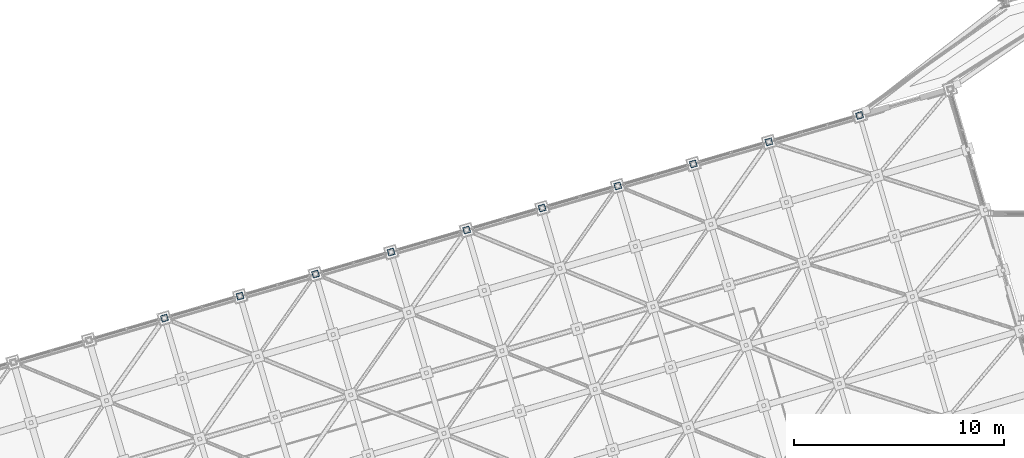
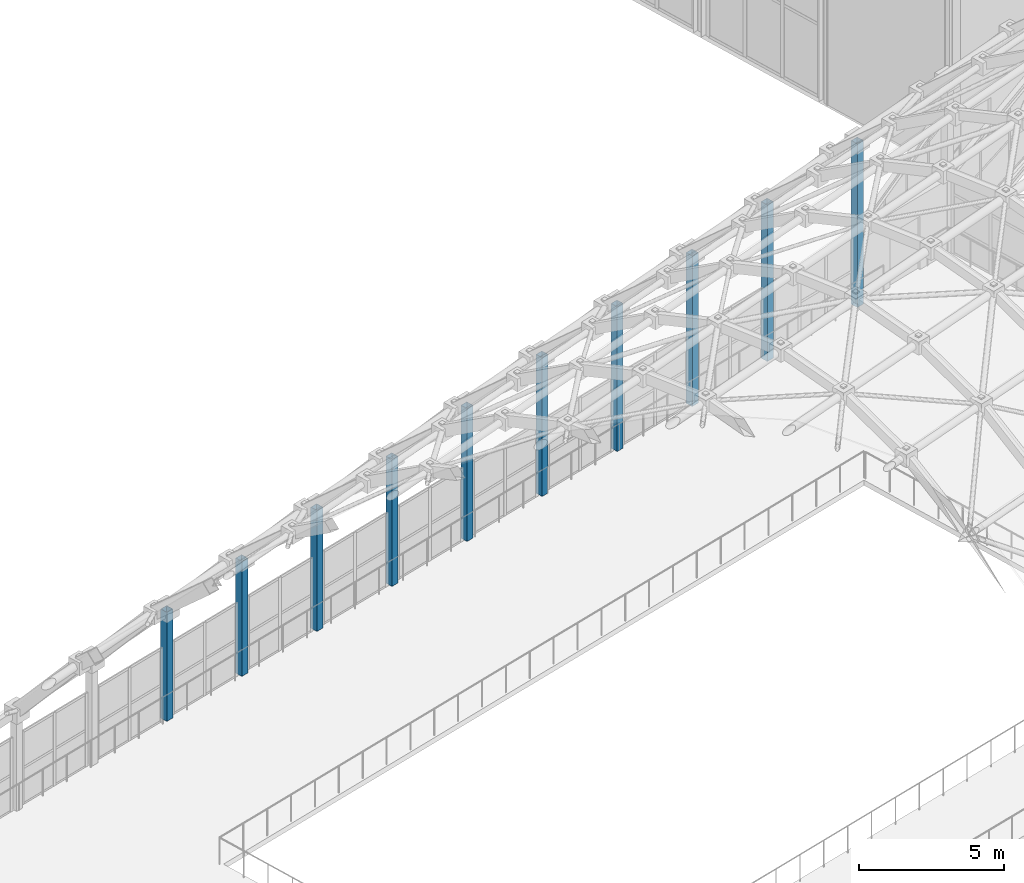
# One storey, part 9 of 248: 10 columns.
"""IFC4 building model written with IfcOpenShell, lengths in metres."""

from ifc_helpers import new_model, si_unit, direction, frame, origin, origin_2d, place, context, subcontext, project, spatial, hollow_rectangle, extrude, material, material_profile, profile_set, type_object, element, save


model = new_model("IFC4")

# Units and contexts
model_context = context("Model", 3, precision=1e-05, world=origin(), true_north=direction((0.0, 1.0)))
body_context = subcontext(model_context, "Body", "Model", "MODEL_VIEW")
ifc_project = project(units=[si_unit("LENGTHUNIT", "METRE"), si_unit("AREAUNIT", "SQUARE_METRE"), si_unit("VOLUMEUNIT", "CUBIC_METRE"), si_unit("PLANEANGLEUNIT", "RADIAN"), si_unit("MASSUNIT", "GRAM", prefix="KILO")], contexts=[model_context])

# Site, building, storey
site_placement = place(None, origin())
site = spatial("IfcSite", under=ifc_project, at=site_placement, CompositionType="ELEMENT")
building_placement = place(site_placement, origin())
building = spatial("IfcBuilding", under=site, at=building_placement, Name="Canggui Botanical Conservatory", CompositionType="ELEMENT")
storey_placement = place(building_placement, frame((0.0, 0.0, 5.39990234375)))
storey = spatial("IfcBuildingStorey", under=building, at=storey_placement, Name="L02", CompositionType="ELEMENT", Elevation=5.39990234375)

# Columns
ifc_material = material(Name="Steel Q355C", Category="steel")
ifc_material_profile = material_profile(ifc_material, hollow_rectangle(XDim=0.300048828125, YDim=0.300048828125, WallThickness=0.010009765625, at=origin_2d()), Name="SHS 300x300x10")
ifc_profile_set = profile_set([ifc_material_profile], Name="Steel Q355C")
column_type = type_object("IfcColumnType", Name="COL-GZ02", PredefinedType="COLUMN", material=ifc_profile_set)
column_1_placement = place(storey_placement, frame((26.0, 75.0, 0.0), z_axis=(0.0, 0.0, 1.0), x_axis=(0.960000000041, 0.279999999861, 0.0)))
element("IfcColumn", 1, at=column_1_placement, inside=storey, type_object=column_type, Name="Conservatory Upper Arch Pier L02 R5-V1", PredefinedType="COLUMN", context=body_context, shape_type="SweptSolid", body=[
    extrude(hollow_rectangle(XDim=0.300048828125, YDim=0.300048828125, WallThickness=0.010009765625, at=origin_2d()), origin(), (0.0, 0.0, 1.0), 4.60009765625),
])
column_2_placement = place(storey_placement, frame((29.60009765625, 76.050048828125, 0.0), z_axis=(0.0, 0.0, 1.0), x_axis=(0.960000000041, 0.279999999861, 0.0)))
element("IfcColumn", 2, at=column_2_placement, inside=storey, type_object=column_type, Name="Conservatory Upper Arch Pier L02 R6-V1", PredefinedType="COLUMN", context=body_context, shape_type="SweptSolid", body=[
    extrude(hollow_rectangle(XDim=0.300048828125, YDim=0.300048828125, WallThickness=0.010009765625, at=origin_2d()), origin(), (0.0, 0.0, 1.0), 4.85009765625),
])
column_3_placement = place(storey_placement, frame((33.199951171875, 77.10009765625, 0.0), z_axis=(0.0, 0.0, 1.0), x_axis=(0.960000000041, 0.279999999861, 0.0)))
element("IfcColumn", 3, at=column_3_placement, inside=storey, type_object=column_type, Name="Conservatory Upper Arch Pier L02 R7-V1", PredefinedType="COLUMN", context=body_context, shape_type="SweptSolid", body=[
    extrude(hollow_rectangle(XDim=0.300048828125, YDim=0.300048828125, WallThickness=0.010009765625, at=origin_2d()), origin(), (0.0, 0.0, 1.0), 5.10009765625),
])
column_4_placement = place(storey_placement, frame((36.800048828125, 78.14990234375, 0.0), z_axis=(0.0, 0.0, 1.0), x_axis=(0.960000000041, 0.279999999861, 0.0)))
element("IfcColumn", 4, at=column_4_placement, inside=storey, type_object=column_type, Name="Conservatory Upper Arch Pier L02 R8-V1", PredefinedType="COLUMN", context=body_context, shape_type="SweptSolid", body=[
    extrude(hollow_rectangle(XDim=0.300048828125, YDim=0.300048828125, WallThickness=0.010009765625, at=origin_2d()), origin(), (0.0, 0.0, 1.0), 5.35009765625),
])
column_5_placement = place(storey_placement, frame((40.39990234375, 79.199951171875, 0.0), z_axis=(0.0, 0.0, 1.0), x_axis=(0.960000000041, 0.279999999861, 0.0)))
element("IfcColumn", 5, at=column_5_placement, inside=storey, type_object=column_type, Name="Conservatory Upper Arch Pier L02 R9-V1", PredefinedType="COLUMN", context=body_context, shape_type="SweptSolid", body=[
    extrude(hollow_rectangle(XDim=0.300048828125, YDim=0.300048828125, WallThickness=0.010009765625, at=origin_2d()), origin(), (0.0, 0.0, 1.0), 5.60009765625),
])
column_6_placement = place(storey_placement, frame((44.0, 80.25, 0.0), z_axis=(0.0, 0.0, 1.0), x_axis=(0.960000000041, 0.279999999861, 0.0)))
element("IfcColumn", 6, at=column_6_placement, inside=storey, type_object=column_type, Name="Conservatory Upper Arch Pier L02 R10-V1", PredefinedType="COLUMN", context=body_context, shape_type="SweptSolid", body=[
    extrude(hollow_rectangle(XDim=0.300048828125, YDim=0.300048828125, WallThickness=0.010009765625, at=origin_2d()), origin(), (0.0, 0.0, 1.0), 5.85009765625),
])
column_7_placement = place(storey_placement, frame((47.60009765625, 81.300048828125, 0.0), z_axis=(0.0, 0.0, 1.0), x_axis=(0.960000000041, 0.279999999861, 0.0)))
element("IfcColumn", 7, at=column_7_placement, inside=storey, type_object=column_type, Name="Conservatory Upper Arch Pier L02 R11-V1", PredefinedType="COLUMN", context=body_context, shape_type="SweptSolid", body=[
    extrude(hollow_rectangle(XDim=0.300048828125, YDim=0.300048828125, WallThickness=0.010009765625, at=origin_2d()), origin(), (0.0, 0.0, 1.0), 6.10009765625),
])
column_8_placement = place(storey_placement, frame((51.199951171875, 82.35009765625, 0.0), z_axis=(0.0, 0.0, 1.0), x_axis=(0.960000000041, 0.279999999861, 0.0)))
element("IfcColumn", 8, at=column_8_placement, inside=storey, type_object=column_type, Name="Conservatory Upper Arch Pier L02 R12-V1", PredefinedType="COLUMN", context=body_context, shape_type="SweptSolid", body=[
    extrude(hollow_rectangle(XDim=0.300048828125, YDim=0.300048828125, WallThickness=0.010009765625, at=origin_2d()), origin(), (0.0, 0.0, 1.0), 6.35009765625),
])
column_9_placement = place(storey_placement, frame((54.800048828125, 83.39990234375, 0.0), z_axis=(0.0, 0.0, 1.0), x_axis=(0.960000000041, 0.279999999861, 0.0)))
element("IfcColumn", 9, at=column_9_placement, inside=storey, type_object=column_type, Name="Conservatory Upper Arch Pier L02 R13-V1", PredefinedType="COLUMN", context=body_context, shape_type="SweptSolid", body=[
    extrude(hollow_rectangle(XDim=0.300048828125, YDim=0.300048828125, WallThickness=0.010009765625, at=origin_2d()), origin(), (0.0, 0.0, 1.0), 6.60009765625),
])
column_10_placement = place(storey_placement, frame((59.1201171875, 84.659912109375, 0.0), z_axis=(0.0, 0.0, 1.0), x_axis=(0.960000000041, 0.279999999861, 0.0)))
element("IfcColumn", 10, at=column_10_placement, inside=storey, type_object=column_type, Name="Conservatory Upper Arch Pier L02 R14-V1", PredefinedType="COLUMN", context=body_context, shape_type="SweptSolid", body=[
    extrude(hollow_rectangle(XDim=0.300048828125, YDim=0.300048828125, WallThickness=0.010009765625, at=origin_2d()), origin(), (0.0, 0.0, 1.0), 6.900146484375),
])

save(model, "model.ifc")
